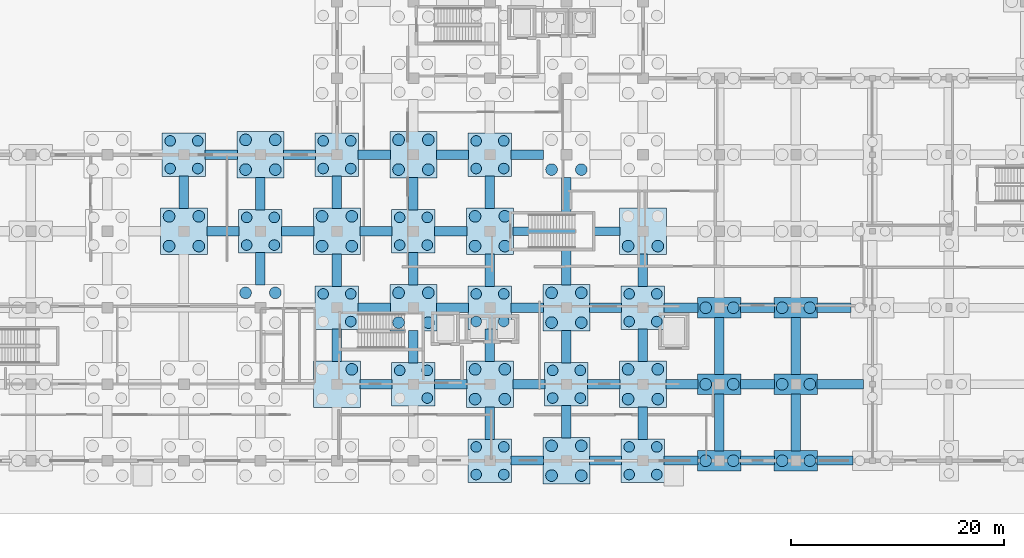
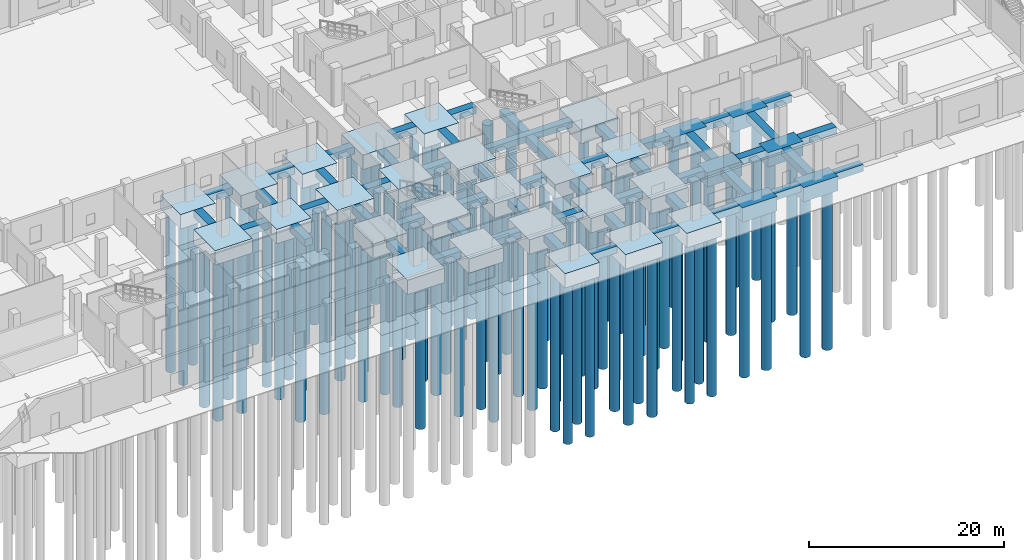
# One storey, part 4 of 48: 105 piles, 82 footings.
"""IFC4 building model written with IfcOpenShell, lengths in metres."""

from ifc_helpers import new_model, si_unit, direction, frame, origin, origin_2d, place, context, subcontext, project, spatial, rectangle, circle, extrude, material, material_profile, profile_set, type_object, element, save


model = new_model("IFC4")

# Units and contexts
model_context = context("Model", 3, precision=1e-05, world=origin(), true_north=direction((0.0, 1.0)))
body_context = subcontext(model_context, "Body", "Model", "MODEL_VIEW")
ifc_project = project(units=[si_unit("LENGTHUNIT", "METRE"), si_unit("AREAUNIT", "SQUARE_METRE"), si_unit("VOLUMEUNIT", "CUBIC_METRE"), si_unit("PLANEANGLEUNIT", "RADIAN"), si_unit("MASSUNIT", "GRAM", prefix="KILO")], contexts=[model_context])

# Site, building, storey
site_placement = place(None, origin())
site = spatial("IfcSite", under=ifc_project, at=site_placement, CompositionType="ELEMENT")
building_placement = place(site_placement, origin())
building = spatial("IfcBuilding", under=site, at=building_placement, Name="Seraya Terrace Polytechnic", CompositionType="ELEMENT")
storey_placement = place(building_placement, origin())
storey = spatial("IfcBuildingStorey", under=building, at=storey_placement, Name="L00", CompositionType="ELEMENT", Elevation=0.0)

# Piles
ifc_material = material(Name="Concrete C40/50", Category="concrete")
ifc_material_profile_1 = material_profile(ifc_material, circle(Radius=0.5, at=origin_2d()), Name="DIA 1000")
ifc_profile_set_1 = profile_set([ifc_material_profile_1], Name="Concrete C40/50")
pile_type_1 = type_object("IfcPileType", Name="BP-03", PredefinedType="BORED", material=ifc_profile_set_1)
for number, where, z_axis, x_axis, name in (
    (1, (63.5, 27.5, -1.699951171875), (0.0, 0.0, -1.0), (1.0, 0.0, 0.0), "Bored pile BP-03 0648_0288-1"),
    (2, (66.10009765625, 27.5, -1.699951171875), (0.0, 0.0, -1.0), (1.0, 0.0, 0.0), "Bored pile BP-03 0648_0288-2"),
    (3, (63.5, 30.10009765625, -1.699951171875), (0.0, 0.0, -1.0), (1.0, 0.0, 0.0), "Bored pile BP-03 0648_0288-3"),
    (4, (66.10009765625, 30.10009765625, -1.699951171875), (0.0, 0.0, -1.0), (1.0, 0.0, 0.0), "Bored pile BP-03 0648_0288-4"),
    (5, (70.699951171875, 20.300048828125, -1.699951171875), (0.0, 0.0, -1.0), (1.0, 0.0, 0.0), "Bored pile BP-03 0720_0216-1"),
    (6, (73.300048828125, 20.300048828125, -1.699951171875), (0.0, 0.0, -1.0), (1.0, 0.0, 0.0), "Bored pile BP-03 0720_0216-2"),
    (7, (70.699951171875, 22.89990234375, -1.699951171875), (0.0, 0.0, -1.0), (1.0, 0.0, 0.0), "Bored pile BP-03 0720_0216-3"),
    (8, (73.300048828125, 22.89990234375, -1.699951171875), (0.0, 0.0, -1.0), (1.0, 0.0, 0.0), "Bored pile BP-03 0720_0216-4"),
    (9, (80.5, 13.10009765625, -1.699951171875), (0.0, 0.0, -1.0), (1.0, 0.0, 0.0), "Bored pile BP-03 0792_0144-2"),
    (10, (77.89990234375, 15.699951171875, -1.699951171875), (0.0, 0.0, -1.0), (1.0, 0.0, 0.0), "Bored pile BP-03 0792_0144-3"),
    (11, (80.5, 15.699951171875, -1.699951171875), (0.0, 0.0, -1.0), (1.0, 0.0, 0.0), "Bored pile BP-03 0792_0144-4"),
    (12, (77.89990234375, 27.5, -1.699951171875), (0.0, 0.0, -1.0), (1.0, 0.0, 0.0), "Bored pile BP-03 0792_0288-1"),
    (13, (80.5, 27.5, -1.699951171875), (0.0, 0.0, -1.0), (1.0, 0.0, 0.0), "Bored pile BP-03 0792_0288-2"),
    (14, (77.89990234375, 30.10009765625, -1.699951171875), (0.0, 0.0, -1.0), (1.0, 0.0, 0.0), "Bored pile BP-03 0792_0288-3"),
    (15, (80.5, 30.10009765625, -1.699951171875), (0.0, 0.0, -1.0), (1.0, 0.0, 0.0), "Bored pile BP-03 0792_0288-4"),
    (16, (87.699951171875, 5.89990234375, -1.699951171875), (0.0, 0.0, -1.0), (1.0, 0.0, 0.0), "Bored pile BP-03 0864_0072-2"),
    (17, (85.10009765625, 8.5, -1.699951171875), (0.0, 0.0, -1.0), (1.0, 0.0, 0.0), "Bored pile BP-03 0864_0072-3"),
    (18, (87.699951171875, 8.5, -1.699951171875), (0.0, 0.0, -1.0), (1.0, 0.0, 0.0), "Bored pile BP-03 0864_0072-4"),
    (19, (85.10009765625, 20.300048828125, -1.699951171875), (0.0, 0.0, -1.0), (1.0, 0.0, 0.0), "Bored pile BP-03 0864_0216-1"),
    (20, (87.699951171875, 20.300048828125, -1.699951171875), (0.0, 0.0, -1.0), (1.0, 0.0, 0.0), "Bored pile BP-03 0864_0216-2"),
    (21, (85.10009765625, 22.89990234375, -1.699951171875), (0.0, 0.0, -1.0), (1.0, 0.0, 0.0), "Bored pile BP-03 0864_0216-3"),
    (22, (87.699951171875, 22.89990234375, -1.699951171875), (0.0, 0.0, -1.0), (1.0, 0.0, 0.0), "Bored pile BP-03 0864_0216-4"),
    (23, (92.300048828125, -1.300048828125, -1.699951171875), (0.0, 0.0, -1.0), (1.0, 0.0, 0.0), "Bored pile BP-03 0936_0000-1"),
    (24, (94.89990234375, -1.300048828125, -1.699951171875), (0.0, 0.0, -1.0), (1.0, 0.0, 0.0), "Bored pile BP-03 0936_0000-2"),
    (25, (92.300048828125, 1.300048828125, -1.699951171875), (0.0, 0.0, -1.0), (1.0, 0.0, 0.0), "Bored pile BP-03 0936_0000-3"),
    (26, (94.89990234375, 1.300048828125, -1.699951171875), (0.0, 0.0, -1.0), (1.0, 0.0, 0.0), "Bored pile BP-03 0936_0000-4"),
    (27, (92.300048828125, 13.10009765625, -1.699951171875), (0.0, 0.0, -1.0), (1.0, 0.0, 0.0), "Bored pile BP-03 0936_0144-1"),
    (28, (94.89990234375, 13.10009765625, -1.699951171875), (0.0, 0.0, -1.0), (1.0, 0.0, 0.0), "Bored pile BP-03 0936_0144-2"),
    (29, (92.300048828125, 15.699951171875, -1.699951171875), (0.0, 0.0, -1.0), (1.0, 0.0, 0.0), "Bored pile BP-03 0936_0144-3"),
    (30, (94.89990234375, 15.699951171875, -1.699951171875), (0.0, 0.0, -1.0), (1.0, 0.0, 0.0), "Bored pile BP-03 0936_0144-4"),
    (31, (92.300048828125, 27.5, -1.699951171875), (0.0, 0.0, -1.0), (1.0, 0.0, 0.0), "Bored pile BP-03 0936_0288-1"),
    (32, (94.89990234375, 27.5, -1.699951171875), (0.0, 0.0, -1.0), (1.0, 0.0, 0.0), "Bored pile BP-03 0936_0288-2"),
    (33, (92.300048828125, 30.10009765625, -1.699951171875), (0.0, 0.0, -1.0), (1.0, 0.0, 0.0), "Bored pile BP-03 0936_0288-3"),
    (34, (94.89990234375, 30.10009765625, -1.699951171875), (0.0, 0.0, -1.0), (1.0, 0.0, 0.0), "Bored pile BP-03 0936_0288-4"),
    (35, (99.5, 5.89990234375, -1.699951171875), (0.0, 0.0, -1.0), (1.0, 0.0, 0.0), "Bored pile BP-03 1008_0072-1"),
    (36, (102.10009765625, 5.89990234375, -1.699951171875), (0.0, 0.0, -1.0), (1.0, 0.0, 0.0), "Bored pile BP-03 1008_0072-2"),
    (37, (99.5, 8.5, -1.699951171875), (0.0, 0.0, -1.0), (1.0, 0.0, 0.0), "Bored pile BP-03 1008_0072-3"),
    (38, (102.10009765625, 8.5, -1.699951171875), (0.0, 0.0, -1.0), (1.0, 0.0, 0.0), "Bored pile BP-03 1008_0072-4"),
    (39, (106.699951171875, -1.300048828125, -1.699951171875), (0.0, 0.0, -1.0), (1.0, 0.0, 0.0), "Bored pile BP-03 1080_0000-1"),
    (40, (109.300048828125, -1.300048828125, -1.699951171875), (0.0, 0.0, -1.0), (1.0, 0.0, 0.0), "Bored pile BP-03 1080_0000-2"),
    (41, (106.699951171875, 1.300048828125, -1.699951171875), (0.0, 0.0, -1.0), (1.0, 0.0, 0.0), "Bored pile BP-03 1080_0000-3"),
    (42, (109.300048828125, 1.300048828125, -1.699951171875), (0.0, 0.0, -1.0), (1.0, 0.0, 0.0), "Bored pile BP-03 1080_0000-4"),
    (43, (106.699951171875, 13.10009765625, -1.699951171875), (0.0, 0.0, -1.0), (1.0, 0.0, 0.0), "Bored pile BP-03 1080_0144-1"),
    (44, (109.300048828125, 13.10009765625, -1.699951171875), (0.0, 0.0, -1.0), (1.0, 0.0, 0.0), "Bored pile BP-03 1080_0144-2"),
    (45, (106.699951171875, 15.699951171875, -1.699951171875), (0.0, 0.0, -1.0), (1.0, 0.0, 0.0), "Bored pile BP-03 1080_0144-3"),
    (46, (109.300048828125, 15.699951171875, -1.699951171875), (0.0, 0.0, -1.0), (1.0, 0.0, 0.0), "Bored pile BP-03 1080_0144-4"),
):
    element("IfcPile", number, at=place(storey_placement, frame(where, z_axis=z_axis, x_axis=x_axis)), inside=storey, type_object=pile_type_1, Name=name, PredefinedType="BORED", context=body_context, shape_type="SweptSolid", body=[
        extrude(circle(Radius=0.5, at=origin_2d()), origin(), (0.0, 0.0, 1.0), 20.0),
    ])
ifc_material_profile_2 = material_profile(ifc_material, circle(Radius=0.550048828125, at=origin_2d()), Name="DIA 1100")
ifc_profile_set_2 = profile_set([ifc_material_profile_2], Name="Concrete C40/50")
pile_type_2 = type_object("IfcPileType", Name="BP-04", PredefinedType="BORED", material=ifc_profile_set_2)
for number, where, z_axis, x_axis, name in (
    (47, (63.39990234375, 20.199951171875, -1.699951171875), (0.0, 0.0, -1.0), (1.0, 0.0, 0.0), "Bored pile BP-04 0648_0216-1"),
    (48, (66.199951171875, 20.199951171875, -1.699951171875), (0.0, 0.0, -1.0), (1.0, 0.0, 0.0), "Bored pile BP-04 0648_0216-2"),
    (49, (63.39990234375, 23.0, -1.699951171875), (0.0, 0.0, -1.0), (1.0, 0.0, 0.0), "Bored pile BP-04 0648_0216-3"),
    (50, (66.199951171875, 23.0, -1.699951171875), (0.0, 0.0, -1.0), (1.0, 0.0, 0.0), "Bored pile BP-04 0648_0216-4"),
    (51, (70.60009765625, 15.800048828125, -1.699951171875), (0.0, 0.0, -1.0), (1.0, 0.0, 0.0), "Bored pile BP-04 0720_0144-3"),
    (52, (73.39990234375, 15.800048828125, -1.699951171875), (0.0, 0.0, -1.0), (1.0, 0.0, 0.0), "Bored pile BP-04 0720_0144-4"),
    (53, (70.60009765625, 27.39990234375, -1.699951171875), (0.0, 0.0, -1.0), (1.0, 0.0, 0.0), "Bored pile BP-04 0720_0288-1"),
    (54, (73.39990234375, 27.39990234375, -1.699951171875), (0.0, 0.0, -1.0), (1.0, 0.0, 0.0), "Bored pile BP-04 0720_0288-2"),
    (55, (70.60009765625, 30.199951171875, -1.699951171875), (0.0, 0.0, -1.0), (1.0, 0.0, 0.0), "Bored pile BP-04 0720_0288-3"),
    (56, (73.39990234375, 30.199951171875, -1.699951171875), (0.0, 0.0, -1.0), (1.0, 0.0, 0.0), "Bored pile BP-04 0720_0288-4"),
    (57, (80.60009765625, 8.60009765625, -1.699951171875), (0.0, 0.0, -1.0), (1.0, 0.0, 0.0), "Bored pile BP-04 0792_0072-4"),
    (58, (77.800048828125, 20.199951171875, -1.699951171875), (0.0, 0.0, -1.0), (1.0, 0.0, 0.0), "Bored pile BP-04 0792_0216-1"),
    (59, (80.60009765625, 20.199951171875, -1.699951171875), (0.0, 0.0, -1.0), (1.0, 0.0, 0.0), "Bored pile BP-04 0792_0216-2"),
    (60, (77.800048828125, 23.0, -1.699951171875), (0.0, 0.0, -1.0), (1.0, 0.0, 0.0), "Bored pile BP-04 0792_0216-3"),
    (61, (80.60009765625, 23.0, -1.699951171875), (0.0, 0.0, -1.0), (1.0, 0.0, 0.0), "Bored pile BP-04 0792_0216-4"),
    (62, (85.0, 13.0, -1.699951171875), (0.0, 0.0, -1.0), (1.0, 0.0, 0.0), "Bored pile BP-04 0864_0144-1"),
    (63, (87.800048828125, 13.0, -1.699951171875), (0.0, 0.0, -1.0), (1.0, 0.0, 0.0), "Bored pile BP-04 0864_0144-2"),
    (64, (85.0, 15.800048828125, -1.699951171875), (0.0, 0.0, -1.0), (1.0, 0.0, 0.0), "Bored pile BP-04 0864_0144-3"),
    (65, (87.800048828125, 15.800048828125, -1.699951171875), (0.0, 0.0, -1.0), (1.0, 0.0, 0.0), "Bored pile BP-04 0864_0144-4"),
    (66, (85.0, 27.39990234375, -1.699951171875), (0.0, 0.0, -1.0), (1.0, 0.0, 0.0), "Bored pile BP-04 0864_0288-1"),
    (67, (87.800048828125, 27.39990234375, -1.699951171875), (0.0, 0.0, -1.0), (1.0, 0.0, 0.0), "Bored pile BP-04 0864_0288-2"),
    (68, (85.0, 30.199951171875, -1.699951171875), (0.0, 0.0, -1.0), (1.0, 0.0, 0.0), "Bored pile BP-04 0864_0288-3"),
    (69, (87.800048828125, 30.199951171875, -1.699951171875), (0.0, 0.0, -1.0), (1.0, 0.0, 0.0), "Bored pile BP-04 0864_0288-4"),
    (70, (92.199951171875, 5.800048828125, -1.699951171875), (0.0, 0.0, -1.0), (1.0, 0.0, 0.0), "Bored pile BP-04 0936_0072-1"),
    (71, (95.0, 5.800048828125, -1.699951171875), (0.0, 0.0, -1.0), (1.0, 0.0, 0.0), "Bored pile BP-04 0936_0072-2"),
    (72, (92.199951171875, 8.60009765625, -1.699951171875), (0.0, 0.0, -1.0), (1.0, 0.0, 0.0), "Bored pile BP-04 0936_0072-3"),
    (73, (95.0, 8.60009765625, -1.699951171875), (0.0, 0.0, -1.0), (1.0, 0.0, 0.0), "Bored pile BP-04 0936_0072-4"),
    (74, (92.199951171875, 20.199951171875, -1.699951171875), (0.0, 0.0, -1.0), (1.0, 0.0, 0.0), "Bored pile BP-04 0936_0216-1"),
    (75, (95.0, 20.199951171875, -1.699951171875), (0.0, 0.0, -1.0), (1.0, 0.0, 0.0), "Bored pile BP-04 0936_0216-2"),
    (76, (92.199951171875, 23.0, -1.699951171875), (0.0, 0.0, -1.0), (1.0, 0.0, 0.0), "Bored pile BP-04 0936_0216-3"),
    (77, (95.0, 23.0, -1.699951171875), (0.0, 0.0, -1.0), (1.0, 0.0, 0.0), "Bored pile BP-04 0936_0216-4"),
    (78, (99.39990234375, -1.39990234375, -1.699951171875), (0.0, 0.0, -1.0), (1.0, 0.0, 0.0), "Bored pile BP-04 1008_0000-1"),
    (79, (102.199951171875, -1.39990234375, -1.699951171875), (0.0, 0.0, -1.0), (1.0, 0.0, 0.0), "Bored pile BP-04 1008_0000-2"),
    (80, (99.39990234375, 1.39990234375, -1.699951171875), (0.0, 0.0, -1.0), (1.0, 0.0, 0.0), "Bored pile BP-04 1008_0000-3"),
    (81, (102.199951171875, 1.39990234375, -1.699951171875), (0.0, 0.0, -1.0), (1.0, 0.0, 0.0), "Bored pile BP-04 1008_0000-4"),
    (82, (99.39990234375, 13.0, -1.699951171875), (0.0, 0.0, -1.0), (1.0, 0.0, 0.0), "Bored pile BP-04 1008_0144-1"),
    (83, (102.199951171875, 13.0, -1.699951171875), (0.0, 0.0, -1.0), (1.0, 0.0, 0.0), "Bored pile BP-04 1008_0144-2"),
    (84, (99.39990234375, 15.800048828125, -1.699951171875), (0.0, 0.0, -1.0), (1.0, 0.0, 0.0), "Bored pile BP-04 1008_0144-3"),
    (85, (102.199951171875, 15.800048828125, -1.699951171875), (0.0, 0.0, -1.0), (1.0, 0.0, 0.0), "Bored pile BP-04 1008_0144-4"),
    (86, (99.39990234375, 27.39990234375, -1.699951171875), (0.0, 0.0, -1.0), (1.0, 0.0, 0.0), "Bored pile BP-04 1008_0288-1"),
    (87, (102.199951171875, 27.39990234375, -1.699951171875), (0.0, 0.0, -1.0), (1.0, 0.0, 0.0), "Bored pile BP-04 1008_0288-2"),
    (88, (106.60009765625, 5.800048828125, -1.699951171875), (0.0, 0.0, -1.0), (1.0, 0.0, 0.0), "Bored pile BP-04 1080_0072-1"),
    (89, (109.39990234375, 5.800048828125, -1.699951171875), (0.0, 0.0, -1.0), (1.0, 0.0, 0.0), "Bored pile BP-04 1080_0072-2"),
    (90, (106.60009765625, 8.60009765625, -1.699951171875), (0.0, 0.0, -1.0), (1.0, 0.0, 0.0), "Bored pile BP-04 1080_0072-3"),
    (91, (109.39990234375, 8.60009765625, -1.699951171875), (0.0, 0.0, -1.0), (1.0, 0.0, 0.0), "Bored pile BP-04 1080_0072-4"),
    (92, (106.60009765625, 20.199951171875, -1.699951171875), (0.0, 0.0, -1.0), (1.0, 0.0, 0.0), "Bored pile BP-04 1080_0216-1"),
    (93, (109.39990234375, 20.199951171875, -1.699951171875), (0.0, 0.0, -1.0), (1.0, 0.0, 0.0), "Bored pile BP-04 1080_0216-2"),
    (94, (113.89990234375, 0.0, -1.699951171875), (0.0, 0.0, -1.0), (1.0, 0.0, 0.0), "Bored pile BP-04 1152_0000-1"),
    (95, (116.5, 0.0, -1.699951171875), (0.0, 0.0, -1.0), (1.0, 0.0, 0.0), "Bored pile BP-04 1152_0000-2"),
    (96, (113.89990234375, 7.199951171875, -1.699951171875), (0.0, 0.0, -1.0), (1.0, 0.0, 0.0), "Bored pile BP-04 1152_0072-1"),
    (97, (116.5, 7.199951171875, -1.699951171875), (0.0, 0.0, -1.0), (1.0, 0.0, 0.0), "Bored pile BP-04 1152_0072-2"),
    (98, (113.89990234375, 14.39990234375, -1.699951171875), (0.0, 0.0, -1.0), (1.0, 0.0, 0.0), "Bored pile BP-04 1152_0144-1"),
    (99, (116.5, 14.39990234375, -1.699951171875), (0.0, 0.0, -1.0), (1.0, 0.0, 0.0), "Bored pile BP-04 1152_0144-2"),
    (100, (121.10009765625, 0.0, -1.699951171875), (0.0, 0.0, -1.0), (1.0, 0.0, 0.0), "Bored pile BP-04 1224_0000-1"),
    (101, (123.699951171875, 0.0, -1.699951171875), (0.0, 0.0, -1.0), (1.0, 0.0, 0.0), "Bored pile BP-04 1224_0000-2"),
    (102, (121.10009765625, 7.199951171875, -1.699951171875), (0.0, 0.0, -1.0), (1.0, 0.0, 0.0), "Bored pile BP-04 1224_0072-1"),
    (103, (123.699951171875, 7.199951171875, -1.699951171875), (0.0, 0.0, -1.0), (1.0, 0.0, 0.0), "Bored pile BP-04 1224_0072-2"),
    (104, (121.10009765625, 14.39990234375, -1.699951171875), (0.0, 0.0, -1.0), (1.0, 0.0, 0.0), "Bored pile BP-04 1224_0144-1"),
    (105, (123.699951171875, 14.39990234375, -1.699951171875), (0.0, 0.0, -1.0), (1.0, 0.0, 0.0), "Bored pile BP-04 1224_0144-2"),
):
    element("IfcPile", number, at=place(storey_placement, frame(where, z_axis=z_axis, x_axis=x_axis)), inside=storey, type_object=pile_type_2, Name=name, PredefinedType="BORED", context=body_context, shape_type="SweptSolid", body=[
        extrude(circle(Radius=0.550048828125, at=origin_2d()), origin(), (0.0, 0.0, 1.0), 20.0),
    ])

# Footings
footing_type_1 = type_object("IfcFootingType", Name="FB-01", PredefinedType="FOOTING_BEAM", material=ifc_material)
for number, where, z_axis, x_axis, name in (
    (106, (68.47509765625, 21.60009765625, -0.89990234375), (0.0, 0.0, 1.0), (1.0, 0.0, 0.0), "Foundation tie beam FB-01 X"),
    (107, (64.800048828125, 25.27490234375, -0.89990234375), (0.0, 0.0, 1.0), (0.0, 1.0, 0.0), "Foundation tie beam FB-01 Y"),
    (108, (68.324951171875, 28.800048828125, -0.89990234375), (0.0, 0.0, 1.0), (1.0, 0.0, 0.0), "Foundation tie beam FB-01 X"),
    (109, (72.0, 18.074951171875, -0.89990234375), (0.0, 0.0, 1.0), (0.0, 1.0, 0.0), "Foundation tie beam FB-01 Y"),
    (110, (75.52490234375, 21.60009765625, -0.89990234375), (0.0, 0.0, 1.0), (1.0, 0.0, 0.0), "Foundation tie beam FB-01 X"),
    (111, (72.0, 25.125, -0.89990234375), (0.0, 0.0, 1.0), (0.0, 1.0, 0.0), "Foundation tie beam FB-01 Y"),
    (112, (75.675048828125, 28.800048828125, -0.89990234375), (0.0, 0.0, 1.0), (1.0, 0.0, 0.0), "Foundation tie beam FB-01 X"),
    (113, (82.875, 7.199951171875, -0.89990234375), (0.0, 0.0, 1.0), (1.0, 0.0, 0.0), "Foundation tie beam FB-01 X"),
    (114, (79.199951171875, 10.875, -0.89990234375), (0.0, 0.0, 1.0), (0.0, 1.0, 0.0), "Foundation tie beam FB-01 Y"),
    (115, (82.72509765625, 14.39990234375, -0.89990234375), (0.0, 0.0, 1.0), (1.0, 0.0, 0.0), "Foundation tie beam FB-01 X"),
    (116, (79.199951171875, 17.925048828125, -0.89990234375), (0.0, 0.0, 1.0), (0.0, 1.0, 0.0), "Foundation tie beam FB-01 Y"),
    (117, (82.875, 21.60009765625, -0.89990234375), (0.0, 0.0, 1.0), (1.0, 0.0, 0.0), "Foundation tie beam FB-01 X"),
    (118, (79.199951171875, 25.27490234375, -0.89990234375), (0.0, 0.0, 1.0), (0.0, 1.0, 0.0), "Foundation tie beam FB-01 Y"),
    (119, (82.72509765625, 28.800048828125, -0.89990234375), (0.0, 0.0, 1.0), (1.0, 0.0, 0.0), "Foundation tie beam FB-01 X"),
    (120, (89.925048828125, 7.199951171875, -0.89990234375), (0.0, 0.0, 1.0), (1.0, 0.0, 0.0), "Foundation tie beam FB-01 X"),
    (121, (86.39990234375, 10.72509765625, -0.89990234375), (0.0, 0.0, 1.0), (0.0, 1.0, 0.0), "Foundation tie beam FB-01 Y"),
    (122, (90.074951171875, 14.39990234375, -0.89990234375), (0.0, 0.0, 1.0), (1.0, 0.0, 0.0), "Foundation tie beam FB-01 X"),
    (123, (86.39990234375, 18.074951171875, -0.89990234375), (0.0, 0.0, 1.0), (0.0, 1.0, 0.0), "Foundation tie beam FB-01 Y"),
    (124, (89.925048828125, 21.60009765625, -0.89990234375), (0.0, 0.0, 1.0), (1.0, 0.0, 0.0), "Foundation tie beam FB-01 X"),
    (125, (86.39990234375, 25.125, -0.89990234375), (0.0, 0.0, 1.0), (0.0, 1.0, 0.0), "Foundation tie beam FB-01 Y"),
    (126, (90.074951171875, 28.800048828125, -0.89990234375), (0.0, 0.0, 1.0), (1.0, 0.0, 0.0), "Foundation tie beam FB-01 X"),
    (127, (93.60009765625, 3.52490234375, -0.89990234375), (0.0, 0.0, 1.0), (0.0, 1.0, 0.0), "Foundation tie beam FB-01 Y"),
    (128, (97.27490234375, 7.199951171875, -0.89990234375), (0.0, 0.0, 1.0), (1.0, 0.0, 0.0), "Foundation tie beam FB-01 X"),
    (129, (93.60009765625, 10.875, -0.89990234375), (0.0, 0.0, 1.0), (0.0, 1.0, 0.0), "Foundation tie beam FB-01 Y"),
    (130, (97.125, 14.39990234375, -0.89990234375), (0.0, 0.0, 1.0), (1.0, 0.0, 0.0), "Foundation tie beam FB-01 X"),
    (131, (93.60009765625, 17.925048828125, -0.89990234375), (0.0, 0.0, 1.0), (0.0, 1.0, 0.0), "Foundation tie beam FB-01 Y"),
    (132, (93.60009765625, 25.27490234375, -0.89990234375), (0.0, 0.0, 1.0), (0.0, 1.0, 0.0), "Foundation tie beam FB-01 Y"),
    (133, (97.125, 28.800048828125, -0.89990234375), (0.0, 0.0, 1.0), (1.0, 0.0, 0.0), "Foundation tie beam FB-01 X"),
    (134, (100.800048828125, 3.675048828125, -0.89990234375), (0.0, 0.0, 1.0), (0.0, 1.0, 0.0), "Foundation tie beam FB-01 Y"),
    (135, (104.324951171875, 7.199951171875, -0.89990234375), (0.0, 0.0, 1.0), (1.0, 0.0, 0.0), "Foundation tie beam FB-01 X"),
    (136, (100.800048828125, 10.72509765625, -0.89990234375), (0.0, 0.0, 1.0), (0.0, 1.0, 0.0), "Foundation tie beam FB-01 Y"),
    (137, (104.47509765625, 14.39990234375, -0.89990234375), (0.0, 0.0, 1.0), (1.0, 0.0, 0.0), "Foundation tie beam FB-01 X"),
):
    element("IfcFooting", number, at=place(storey_placement, frame(where, z_axis=z_axis, x_axis=x_axis)), inside=storey, type_object=footing_type_1, Name=name, PredefinedType="FOOTING_BEAM", context=body_context, shape_type="SweptSolid", body=[
        extrude(rectangle(XDim=3.050048828125, YDim=0.89990234375, at=origin_2d()), origin(), (0.0, 0.0, 1.0), 0.89990234375),
    ])
footing_1_placement = place(storey_placement, frame((100.800048828125, 21.60009765625, -0.89990234375), z_axis=(0.0, 0.0, 1.0), x_axis=(0.0, 1.0, 0.0)))
element("IfcFooting", 138, at=footing_1_placement, inside=storey, type_object=footing_type_1, Name="Foundation tie beam FB-01 Y", PredefinedType="FOOTING_BEAM", context=body_context, shape_type="SweptSolid", body=[
    extrude(rectangle(XDim=10.10009765625, YDim=0.89990234375, at=origin_2d()), origin(), (0.0, 0.0, 1.0), 0.89990234375),
])
for number, where, z_axis, x_axis, name in (
    (139, (108.0, 3.52490234375, -0.89990234375), (0.0, 0.0, 1.0), (0.0, 1.0, 0.0), "Foundation tie beam FB-01 Y"),
    (140, (111.675048828125, 7.199951171875, -0.89990234375), (0.0, 0.0, 1.0), (1.0, 0.0, 0.0), "Foundation tie beam FB-01 X"),
    (141, (108.0, 10.875, -0.89990234375), (0.0, 0.0, 1.0), (0.0, 1.0, 0.0), "Foundation tie beam FB-01 Y"),
):
    element("IfcFooting", number, at=place(storey_placement, frame(where, z_axis=z_axis, x_axis=x_axis)), inside=storey, type_object=footing_type_1, Name=name, PredefinedType="FOOTING_BEAM", context=body_context, shape_type="SweptSolid", body=[
        extrude(rectangle(XDim=3.050048828125, YDim=0.89990234375, at=origin_2d()), origin(), (0.0, 0.0, 1.0), 0.89990234375),
    ])
footing_2_placement = place(storey_placement, frame((111.60009765625, 14.39990234375, -0.89990234375), z_axis=(0.0, 0.0, 1.0), x_axis=(1.0, 0.0, 0.0)))
element("IfcFooting", 142, at=footing_2_placement, inside=storey, type_object=footing_type_1, Name="Foundation tie beam FB-01 X", PredefinedType="FOOTING_BEAM", context=body_context, shape_type="SweptSolid", body=[
    extrude(rectangle(XDim=3.199951171875, YDim=0.89990234375, at=origin_2d()), origin(), (0.0, 0.0, 1.0), 0.89990234375),
])
footing_3_placement = place(storey_placement, frame((108.0, 17.925048828125, -0.89990234375), z_axis=(0.0, 0.0, 1.0), x_axis=(0.0, 1.0, 0.0)))
element("IfcFooting", 143, at=footing_3_placement, inside=storey, type_object=footing_type_1, Name="Foundation tie beam FB-01 Y", PredefinedType="FOOTING_BEAM", context=body_context, shape_type="SweptSolid", body=[
    extrude(rectangle(XDim=3.050048828125, YDim=0.89990234375, at=origin_2d()), origin(), (0.0, 0.0, 1.0), 0.89990234375),
])
footing_4_placement = place(storey_placement, frame((115.199951171875, 3.60009765625, -0.89990234375), z_axis=(0.0, 0.0, 1.0), x_axis=(0.0, 1.0, 0.0)))
element("IfcFooting", 144, at=footing_4_placement, inside=storey, type_object=footing_type_1, Name="Foundation tie beam FB-01 Y", PredefinedType="FOOTING_BEAM", context=body_context, shape_type="SweptSolid", body=[
    extrude(rectangle(XDim=5.39990234375, YDim=0.89990234375, at=origin_2d()), origin(), (0.0, 0.0, 1.0), 0.89990234375),
])
footing_5_placement = place(storey_placement, frame((118.800048828125, 7.199951171875, -0.89990234375), z_axis=(0.0, 0.0, 1.0), x_axis=(1.0, 0.0, 0.0)))
element("IfcFooting", 145, at=footing_5_placement, inside=storey, type_object=footing_type_1, Name="Foundation tie beam FB-01 X", PredefinedType="FOOTING_BEAM", context=body_context, shape_type="SweptSolid", body=[
    extrude(rectangle(XDim=3.199951171875, YDim=0.89990234375, at=origin_2d()), origin(), (0.0, 0.0, 1.0), 0.89990234375),
])
footing_6_placement = place(storey_placement, frame((115.199951171875, 10.800048828125, -0.89990234375), z_axis=(0.0, 0.0, 1.0), x_axis=(0.0, 1.0, 0.0)))
element("IfcFooting", 146, at=footing_6_placement, inside=storey, type_object=footing_type_1, Name="Foundation tie beam FB-01 Y", PredefinedType="FOOTING_BEAM", context=body_context, shape_type="SweptSolid", body=[
    extrude(rectangle(XDim=5.39990234375, YDim=0.89990234375, at=origin_2d()), origin(), (0.0, 0.0, 1.0), 0.89990234375),
])
footing_7_placement = place(storey_placement, frame((118.800048828125, 14.39990234375, -0.89990234375), z_axis=(0.0, 0.0, 1.0), x_axis=(1.0, 0.0, 0.0)))
element("IfcFooting", 147, at=footing_7_placement, inside=storey, type_object=footing_type_1, Name="Foundation tie beam FB-01 X", PredefinedType="FOOTING_BEAM", context=body_context, shape_type="SweptSolid", body=[
    extrude(rectangle(XDim=3.199951171875, YDim=0.89990234375, at=origin_2d()), origin(), (0.0, 0.0, 1.0), 0.89990234375),
])
footing_8_placement = place(storey_placement, frame((122.39990234375, 3.60009765625, -0.89990234375), z_axis=(0.0, 0.0, 1.0), x_axis=(0.0, 1.0, 0.0)))
element("IfcFooting", 148, at=footing_8_placement, inside=storey, type_object=footing_type_1, Name="Foundation tie beam FB-01 Y", PredefinedType="FOOTING_BEAM", context=body_context, shape_type="SweptSolid", body=[
    extrude(rectangle(XDim=5.39990234375, YDim=0.89990234375, at=origin_2d()), origin(), (0.0, 0.0, 1.0), 0.89990234375),
])
footing_9_placement = place(storey_placement, frame((126.574951171875, 7.199951171875, -0.89990234375), z_axis=(0.0, 0.0, 1.0), x_axis=(1.0, 0.0, 0.0)))
element("IfcFooting", 149, at=footing_9_placement, inside=storey, type_object=footing_type_1, Name="Foundation tie beam FB-01 X", PredefinedType="FOOTING_BEAM", context=body_context, shape_type="SweptSolid", body=[
    extrude(rectangle(XDim=4.35009765625, YDim=0.89990234375, at=origin_2d()), origin(), (0.0, 0.0, 1.0), 0.89990234375),
])
footing_10_placement = place(storey_placement, frame((122.39990234375, 10.800048828125, -0.89990234375), z_axis=(0.0, 0.0, 1.0), x_axis=(0.0, 1.0, 0.0)))
element("IfcFooting", 150, at=footing_10_placement, inside=storey, type_object=footing_type_1, Name="Foundation tie beam FB-01 Y", PredefinedType="FOOTING_BEAM", context=body_context, shape_type="SweptSolid", body=[
    extrude(rectangle(XDim=5.39990234375, YDim=0.89990234375, at=origin_2d()), origin(), (0.0, 0.0, 1.0), 0.89990234375),
])
footing_11_placement = place(storey_placement, frame((126.0, 14.39990234375, -0.89990234375), z_axis=(0.0, 0.0, 1.0), x_axis=(1.0, 0.0, 0.0)))
element("IfcFooting", 151, at=footing_11_placement, inside=storey, type_object=footing_type_1, Name="Foundation tie beam FB-01 X", PredefinedType="FOOTING_BEAM", context=body_context, shape_type="SweptSolid", body=[
    extrude(rectangle(XDim=3.199951171875, YDim=0.89990234375, at=origin_2d()), origin(), (0.0, 0.0, 1.0), 0.89990234375),
])
footing_type_2 = type_object("IfcFootingType", Name="FB-02", PredefinedType="FOOTING_BEAM", material=ifc_material)
footing_12_placement = place(storey_placement, frame((100.800048828125, 21.60009765625, -0.7998046875), z_axis=(0.0, 0.0, 1.0), x_axis=(1.0, 0.0, 0.0)))
element("IfcFooting", 152, at=footing_12_placement, inside=storey, type_object=footing_type_2, Name="Foundation tie beam FB-02 X", PredefinedType="FOOTING_BEAM", context=body_context, shape_type="SweptSolid", body=[
    extrude(rectangle(XDim=10.10009765625, YDim=0.800048828125, at=origin_2d()), origin(), (0.0, 0.0, 1.0), 0.800048828125),
])
footing_type_3 = type_object("IfcFootingType", Name="FB-04", PredefinedType="FOOTING_BEAM", material=ifc_material)
for number, where, z_axis, x_axis, name in (
    (153, (97.125, 0.0, -0.85009765625), (0.0, 0.0, 1.0), (1.0, 0.0, 0.0), "Foundation tie beam FB-04 X"),
    (154, (104.47509765625, 0.0, -0.85009765625), (0.0, 0.0, 1.0), (1.0, 0.0, 0.0), "Foundation tie beam FB-04 X"),
):
    element("IfcFooting", number, at=place(storey_placement, frame(where, z_axis=z_axis, x_axis=x_axis)), inside=storey, type_object=footing_type_3, Name=name, PredefinedType="FOOTING_BEAM", context=body_context, shape_type="SweptSolid", body=[
        extrude(rectangle(XDim=3.050048828125, YDim=0.85009765625, at=origin_2d()), origin(), (0.0, 0.0, 1.0), 0.85009765625),
    ])
for number, where, z_axis, x_axis, name in (
    (155, (111.60009765625, 0.0, -0.85009765625), (0.0, 0.0, 1.0), (1.0, 0.0, 0.0), "Foundation tie beam FB-04 X"),
    (156, (118.800048828125, 0.0, -0.85009765625), (0.0, 0.0, 1.0), (1.0, 0.0, 0.0), "Foundation tie beam FB-04 X"),
):
    element("IfcFooting", number, at=place(storey_placement, frame(where, z_axis=z_axis, x_axis=x_axis)), inside=storey, type_object=footing_type_3, Name=name, PredefinedType="FOOTING_BEAM", context=body_context, shape_type="SweptSolid", body=[
        extrude(rectangle(XDim=3.199951171875, YDim=0.85009765625, at=origin_2d()), origin(), (0.0, 0.0, 1.0), 0.85009765625),
    ])
footing_13_placement = place(storey_placement, frame((126.074951171875, 0.0, -0.85009765625), z_axis=(0.0, 0.0, 1.0), x_axis=(1.0, 0.0, 0.0)))
element("IfcFooting", 157, at=footing_13_placement, inside=storey, type_object=footing_type_3, Name="Foundation tie beam FB-04 X", PredefinedType="FOOTING_BEAM", context=body_context, shape_type="SweptSolid", body=[
    extrude(rectangle(XDim=3.35009765625, YDim=0.85009765625, at=origin_2d()), origin(), (0.0, 0.0, 1.0), 0.85009765625),
])
footing_type_4 = type_object("IfcFootingType", Name="PC-05", PredefinedType="PILE_CAP", material=ifc_material)
for number, where, z_axis, x_axis, name in (
    (158, (115.199951171875, 0.0, -1.7998046875), (0.0, 0.0, 1.0), (1.0, 0.0, 0.0), "Pile cap PC-05 at (115.2, 0.0)"),
    (159, (115.199951171875, 7.199951171875, -1.7998046875), (0.0, 0.0, 1.0), (1.0, 0.0, 0.0), "Pile cap PC-05 at (115.2, 7.2)"),
    (160, (115.199951171875, 14.39990234375, -1.7998046875), (0.0, 0.0, 1.0), (1.0, 0.0, 0.0), "Pile cap PC-05 at (115.2, 14.4)"),
    (161, (122.39990234375, 0.0, -1.7998046875), (0.0, 0.0, 1.0), (1.0, 0.0, 0.0), "Pile cap PC-05 at (122.4, 0.0)"),
    (162, (122.39990234375, 7.199951171875, -1.7998046875), (0.0, 0.0, 1.0), (1.0, 0.0, 0.0), "Pile cap PC-05 at (122.4, 7.2)"),
    (163, (122.39990234375, 14.39990234375, -1.7998046875), (0.0, 0.0, 1.0), (1.0, 0.0, 0.0), "Pile cap PC-05 at (122.4, 14.4)"),
):
    element("IfcFooting", number, at=place(storey_placement, frame(where, z_axis=z_axis, x_axis=x_axis)), inside=storey, type_object=footing_type_4, Name=name, PredefinedType="PILE_CAP", context=body_context, shape_type="SweptSolid", body=[
        extrude(rectangle(XDim=4.10009765625, YDim=1.89990234375, at=origin_2d()), origin(), (0.0, 0.0, 1.0), 1.800048828125),
    ])
footing_type_5 = type_object("IfcFootingType", Name="PC-07", PredefinedType="PILE_CAP", material=ifc_material)
for number, where, z_axis, x_axis, name in (
    (164, (64.800048828125, 28.800048828125, -1.7998046875), (0.0, 0.0, 1.0), (1.0, 0.0, 0.0), "Pile cap PC-07 at (64.8, 28.8)"),
    (165, (72.0, 21.60009765625, -1.7998046875), (0.0, 0.0, 1.0), (1.0, 0.0, 0.0), "Pile cap PC-07 at (72.0, 21.6)"),
    (166, (79.199951171875, 14.39990234375, -1.7998046875), (0.0, 0.0, 1.0), (1.0, 0.0, 0.0), "Pile cap PC-07 at (79.2, 14.4)"),
    (167, (79.199951171875, 28.800048828125, -1.7998046875), (0.0, 0.0, 1.0), (1.0, 0.0, 0.0), "Pile cap PC-07 at (79.2, 28.8)"),
    (168, (86.39990234375, 7.199951171875, -1.7998046875), (0.0, 0.0, 1.0), (1.0, 0.0, 0.0), "Pile cap PC-07 at (86.4, 7.2)"),
    (169, (86.39990234375, 21.60009765625, -1.7998046875), (0.0, 0.0, 1.0), (1.0, 0.0, 0.0), "Pile cap PC-07 at (86.4, 21.6)"),
    (170, (93.60009765625, 0.0, -1.7998046875), (0.0, 0.0, 1.0), (1.0, 0.0, 0.0), "Pile cap PC-07 at (93.6, 0.0)"),
    (171, (93.60009765625, 14.39990234375, -1.7998046875), (0.0, 0.0, 1.0), (1.0, 0.0, 0.0), "Pile cap PC-07 at (93.6, 14.4)"),
    (172, (93.60009765625, 28.800048828125, -1.7998046875), (0.0, 0.0, 1.0), (1.0, 0.0, 0.0), "Pile cap PC-07 at (93.6, 28.8)"),
    (173, (100.800048828125, 7.199951171875, -1.7998046875), (0.0, 0.0, 1.0), (1.0, 0.0, 0.0), "Pile cap PC-07 at (100.8, 7.2)"),
    (174, (108.0, 0.0, -1.7998046875), (0.0, 0.0, 1.0), (1.0, 0.0, 0.0), "Pile cap PC-07 at (108.0, 0.0)"),
    (175, (108.0, 14.39990234375, -1.7998046875), (0.0, 0.0, 1.0), (1.0, 0.0, 0.0), "Pile cap PC-07 at (108.0, 14.4)"),
):
    element("IfcFooting", number, at=place(storey_placement, frame(where, z_axis=z_axis, x_axis=x_axis)), inside=storey, type_object=footing_type_5, Name=name, PredefinedType="PILE_CAP", context=body_context, shape_type="SweptSolid", body=[
        extrude(rectangle(XDim=4.10009765625, YDim=4.10009765625, at=origin_2d()), origin(), (0.0, 0.0, 1.0), 1.800048828125),
    ])
footing_type_6 = type_object("IfcFootingType", Name="PC-08", PredefinedType="PILE_CAP", material=ifc_material)
for number, where, z_axis, x_axis, name in (
    (176, (64.800048828125, 21.60009765625, -1.7998046875), (0.0, 0.0, 1.0), (1.0, 0.0, 0.0), "Pile cap PC-08 at (64.8, 21.6)"),
    (177, (72.0, 28.800048828125, -1.7998046875), (0.0, 0.0, 1.0), (1.0, 0.0, 0.0), "Pile cap PC-08 at (72.0, 28.8)"),
    (178, (79.199951171875, 7.199951171875, -1.7998046875), (0.0, 0.0, 1.0), (1.0, 0.0, 0.0), "Pile cap PC-08 at (79.2, 7.2)"),
    (179, (79.199951171875, 21.60009765625, -1.7998046875), (0.0, 0.0, 1.0), (1.0, 0.0, 0.0), "Pile cap PC-08 at (79.2, 21.6)"),
    (180, (86.39990234375, 14.39990234375, -1.7998046875), (0.0, 0.0, 1.0), (1.0, 0.0, 0.0), "Pile cap PC-08 at (86.4, 14.4)"),
    (181, (86.39990234375, 28.800048828125, -1.7998046875), (0.0, 0.0, 1.0), (1.0, 0.0, 0.0), "Pile cap PC-08 at (86.4, 28.8)"),
    (182, (93.60009765625, 7.199951171875, -1.7998046875), (0.0, 0.0, 1.0), (1.0, 0.0, 0.0), "Pile cap PC-08 at (93.6, 7.2)"),
    (183, (93.60009765625, 21.60009765625, -1.7998046875), (0.0, 0.0, 1.0), (1.0, 0.0, 0.0), "Pile cap PC-08 at (93.6, 21.6)"),
    (184, (100.800048828125, 0.0, -1.7998046875), (0.0, 0.0, 1.0), (1.0, 0.0, 0.0), "Pile cap PC-08 at (100.8, 0.0)"),
    (185, (100.800048828125, 14.39990234375, -1.7998046875), (0.0, 0.0, 1.0), (1.0, 0.0, 0.0), "Pile cap PC-08 at (100.8, 14.4)"),
    (186, (108.0, 7.199951171875, -1.7998046875), (0.0, 0.0, 1.0), (1.0, 0.0, 0.0), "Pile cap PC-08 at (108.0, 7.2)"),
    (187, (108.0, 21.60009765625, -1.7998046875), (0.0, 0.0, 1.0), (1.0, 0.0, 0.0), "Pile cap PC-08 at (108.0, 21.6)"),
):
    element("IfcFooting", number, at=place(storey_placement, frame(where, z_axis=z_axis, x_axis=x_axis)), inside=storey, type_object=footing_type_6, Name=name, PredefinedType="PILE_CAP", context=body_context, shape_type="SweptSolid", body=[
        extrude(rectangle(XDim=4.39990234375, YDim=4.39990234375, at=origin_2d()), origin(), (0.0, 0.0, 1.0), 1.800048828125),
    ])

save(model, "model.ifc")
